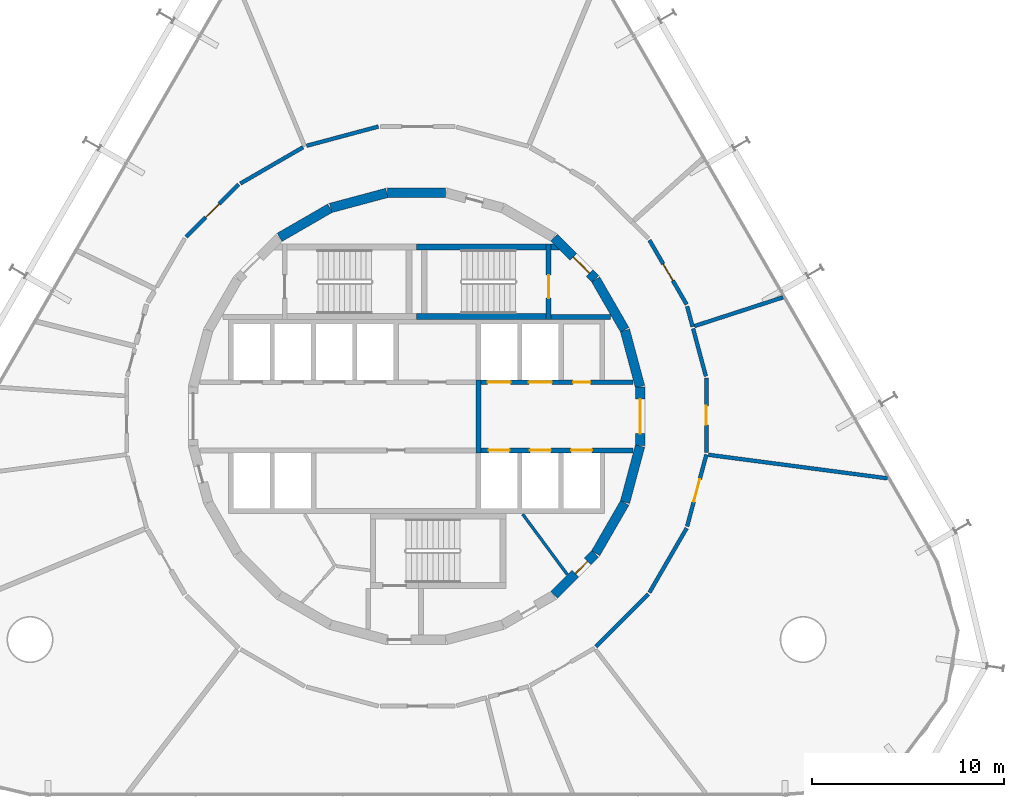
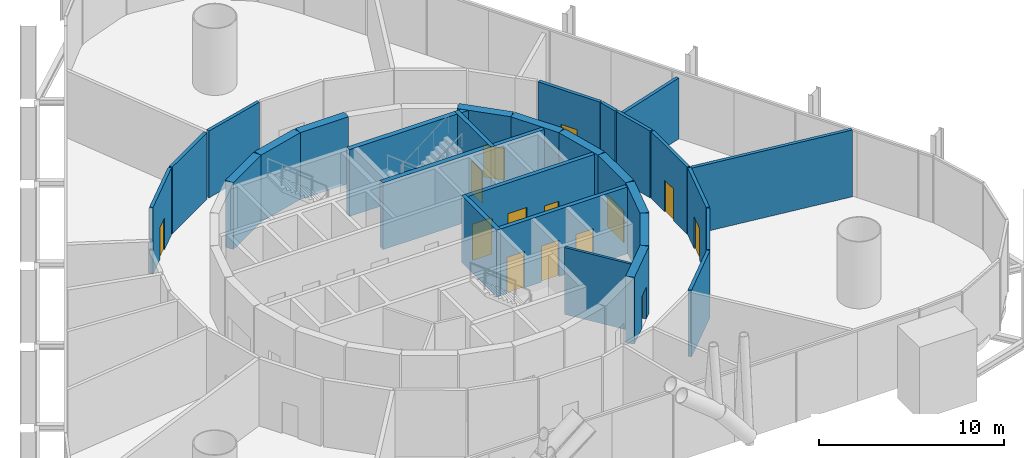
# One storey, part 15 of 17: 31 walls, 14 doors, 14 openings.
"""IFC4 building model written with IfcOpenShell, lengths in metres."""

from ifc_helpers import new_model, si_unit, direction, frame, frame_2d, origin, place, context, subcontext, project, spatial, polyline, rectangle, outline, extrude, material, layer, layer_set, type_object, element, fill, save


model = new_model("IFC4")

# Units and contexts
model_context = context("Model", 3, precision=1e-05, world=origin(), true_north=direction((0.0, 1.0)))
body_context = subcontext(model_context, "Body", "Model", "MODEL_VIEW")
ifc_project = project(units=[si_unit("LENGTHUNIT", "METRE"), si_unit("AREAUNIT", "SQUARE_METRE"), si_unit("VOLUMEUNIT", "CUBIC_METRE"), si_unit("PLANEANGLEUNIT", "RADIAN"), si_unit("MASSUNIT", "GRAM", prefix="KILO")], contexts=[model_context])

# Site, building, storey
site_placement = place(None, origin())
site = spatial("IfcSite", under=ifc_project, at=site_placement, CompositionType="ELEMENT")
building_placement = place(site_placement, origin())
building = spatial("IfcBuilding", under=site, at=building_placement, Name="Spindle Arch Residences", CompositionType="ELEMENT")
storey_placement = place(building_placement, frame((0.0, 0.0, 23.39990234375)))
storey = spatial("IfcBuildingStorey", under=building, at=storey_placement, Name="L04", CompositionType="ELEMENT", Elevation=23.39990234375)

# Wall, opening, door
ifc_material_1 = material(Name="Concrete C50/60", Category="concrete")
ifc_layer_1 = layer(ifc_material_1, 0.5)
ifc_layer_set_1 = layer_set([ifc_layer_1], Name="Core outline wall 500")
wall_type_1 = type_object("IfcWallType", Name="Core outline wall 500", PredefinedType="SHEAR", material=ifc_layer_set_1)
wall_1_placement = place(storey_placement, frame((7.163818359375, -9.30810546875, 0.0), z_axis=(0.0, 0.0, 1.0), x_axis=(0.707106781187, 0.707106781187, 0.0)))
wall_1 = element("IfcWall", 1, at=wall_1_placement, inside=storey, type_object=wall_type_1, Name="Core outline wall 3", PredefinedType="SHEAR", context=body_context, shape_type="SweptSolid", body=[
    extrude(rectangle(XDim=3.032470703125, YDim=0.5, at=frame_2d((1.51611328125, 0.0))), origin(), (0.0, 0.0, 1.0), 4.420166015625),
])
opening_1_placement = place(wall_1_placement, frame((1.56640625, 0.0, 0.0)))
opening_1 = element("IfcOpeningElement", 2, at=opening_1_placement, cuts=wall_1, Name="Opening L04-WD07", PredefinedType="OPENING", context=body_context, shape_type="SweptSolid", body=[
    extrude(rectangle(XDim=0.89990234375, YDim=2.10009765625, at=frame_2d((0.449951171875, 1.050048828125))), frame((0.0, 0.260009765625, 0.0), z_axis=(0.0, -1.0, 0.0), x_axis=(1.0, 0.0, 0.0)), (0.0, 0.0, 1.0), 0.52001953125),
])
ifc_material_2 = material(Name="Steel, fire-resisting door", Category="steel")
door_type_1 = type_object("IfcDoorType", Name="Service room door 900x2100", OperationType="SINGLE_SWING_LEFT", PredefinedType="DOOR", material=ifc_material_2)
door_1_placement = place(opening_1_placement, origin())
door_1 = element("IfcDoor", 3, at=door_1_placement, inside=storey, type_object=door_type_1, Name="Service room door L04-WD07", OperationType="SINGLE_SWING_RIGHT", OverallHeight=2.10009765625, OverallWidth=0.89990234375, PredefinedType="DOOR", context=body_context, shape_type="SweptSolid", body=[
    extrude(rectangle(XDim=0.89990234375, YDim=2.10009765625, at=frame_2d((0.449951171875, 1.050048828125))), frame((0.0, 0.02490234375, 0.0), z_axis=(0.0, -1.0, 0.0), x_axis=(1.0, 0.0, 0.0)), (0.0, 0.0, 1.0), 0.050048828125),
])
fill(opening_1, door_1)

# Walls
for number, where, z_axis, x_axis, name in (
    (4, (9.32861328125, -7.13671875, 0.0), (0.0, 0.0, 1.0), (0.500087131594, 0.865975092491, 0.0), "Core outline wall 4"),
    (5, (10.858154296875, -4.479248046875, 0.0), (0.0, 0.0, 1.0), (0.258734743916, 0.965948410781, 0.0), "Core outline wall 5"),
):
    element("IfcWall", number, at=place(storey_placement, frame(where, z_axis=z_axis, x_axis=x_axis)), inside=storey, type_object=wall_type_1, Name=name, PredefinedType="SHEAR", context=body_context, shape_type="SweptSolid", body=[
        extrude(rectangle(XDim=3.03271484375, YDim=0.5, at=frame_2d((1.516357421875, 0.0))), origin(), (0.0, 0.0, 1.0), 4.420166015625),
    ])

# Wall, opening, door
wall_2_placement = place(storey_placement, frame((11.647216796875, -1.516357421875, 0.0), z_axis=(0.0, 0.0, 1.0), x_axis=(0.0, 1.0, 0.0)))
wall_2 = element("IfcWall", 6, at=wall_2_placement, inside=storey, type_object=wall_type_1, Name="Core outline wall 6", PredefinedType="SHEAR", context=body_context, shape_type="SweptSolid", body=[
    extrude(rectangle(XDim=3.03271484375, YDim=0.5, at=frame_2d((1.516357421875, 0.0))), origin(), (0.0, 0.0, 1.0), 4.420166015625),
])
opening_2_placement = place(wall_2_placement, frame((0.6162109375, 0.0, 0.0)))
opening_2 = element("IfcOpeningElement", 7, at=opening_2_placement, cuts=wall_2, Name="Opening L04-FE01", PredefinedType="OPENING", context=body_context, shape_type="SweptSolid", body=[
    extrude(rectangle(XDim=1.800048828125, YDim=2.10009765625, at=frame_2d((0.89990234375, 1.050048828125))), frame((0.0, 0.260009765625, 0.0), z_axis=(0.0, -1.0, 0.0), x_axis=(1.0, 0.0, 0.0)), (0.0, 0.0, 1.0), 0.52001953125),
])
ifc_material_3 = material(Name="Steel, fire-resisting door", Category="steel")
door_type_2 = type_object("IfcDoorType", Name="Fire-lift lobby door 1800x2100", OperationType="DOUBLE_DOOR_SINGLE_SWING", PredefinedType="DOOR", material=ifc_material_3)
door_2_placement = place(opening_2_placement, origin())
door_2 = element("IfcDoor", 8, at=door_2_placement, inside=storey, type_object=door_type_2, Name="Fire-lift lobby door L04-FE01", OperationType="DOUBLE_DOOR_SINGLE_SWING", OverallHeight=2.10009765625, OverallWidth=1.800048828125, PredefinedType="DOOR", context=body_context, shape_type="SweptSolid", body=[
    extrude(rectangle(XDim=1.800048828125, YDim=2.10009765625, at=frame_2d((0.89990234375, 1.050048828125))), frame((0.0, 0.02490234375, 0.0), z_axis=(0.0, -1.0, 0.0), x_axis=(1.0, 0.0, 0.0)), (0.0, 0.0, 1.0), 0.050048828125),
])
fill(opening_2, door_2)

# Walls
for number, where, z_axis, x_axis, name in (
    (9, (11.642822265625, 1.5498046875, 0.0), (0.0, 0.0, 1.0), (-0.258734743916, 0.965948410781, 0.0), "Core outline wall 7"),
    (10, (10.84521484375, 4.510498046875, 0.0), (0.0, 0.0, 1.0), (-0.500087131594, 0.865975092491, 0.0), "Core outline wall 8"),
):
    element("IfcWall", number, at=place(storey_placement, frame(where, z_axis=z_axis, x_axis=x_axis)), inside=storey, type_object=wall_type_1, Name=name, PredefinedType="SHEAR", context=body_context, shape_type="SweptSolid", body=[
        extrude(rectangle(XDim=3.03271484375, YDim=0.5, at=frame_2d((1.516357421875, 0.0))), origin(), (0.0, 0.0, 1.0), 4.420166015625),
    ])

# Wall, opening, door
wall_3_placement = place(storey_placement, frame((9.30810546875, 7.163818359375, 0.0), z_axis=(0.0, 0.0, 1.0), x_axis=(-0.707106781187, 0.707106781187, 0.0)))
wall_3 = element("IfcWall", 11, at=wall_3_placement, inside=storey, type_object=wall_type_1, Name="Core outline wall 9", PredefinedType="SHEAR", context=body_context, shape_type="SweptSolid", body=[
    extrude(rectangle(XDim=3.032470703125, YDim=0.5, at=frame_2d((1.51611328125, 0.0))), origin(), (0.0, 0.0, 1.0), 4.420166015625),
])
opening_3_placement = place(wall_3_placement, frame((0.416259765625, 0.0, 0.0)))
opening_3 = element("IfcOpeningElement", 12, at=opening_3_placement, cuts=wall_3, Name="Opening L04-AD01", PredefinedType="OPENING", context=body_context, shape_type="SweptSolid", body=[
    extrude(rectangle(XDim=1.199951171875, YDim=2.10009765625, at=frame_2d((0.60009765625, 1.050048828125))), frame((0.0, 0.260009765625, 0.0), z_axis=(0.0, -1.0, 0.0), x_axis=(1.0, 0.0, 0.0)), (0.0, 0.0, 1.0), 0.52001953125),
])
ifc_material_4 = material(Name="Steel, fire-resisting door", Category="steel")
door_type_3 = type_object("IfcDoorType", Name="Stair airlock door 1200x2100", OperationType="SINGLE_SWING_LEFT", PredefinedType="DOOR", material=ifc_material_4)
door_3_placement = place(opening_3_placement, origin())
door_3 = element("IfcDoor", 13, at=door_3_placement, inside=storey, type_object=door_type_3, Name="Stair airlock door L04-AD01", OperationType="SINGLE_SWING_RIGHT", OverallHeight=2.10009765625, OverallWidth=1.199951171875, PredefinedType="DOOR", context=body_context, shape_type="SweptSolid", body=[
    extrude(rectangle(XDim=1.199951171875, YDim=2.10009765625, at=frame_2d((0.60009765625, 1.050048828125))), frame((0.0, 0.02490234375, 0.0), z_axis=(0.0, -1.0, 0.0), x_axis=(1.0, 0.0, 0.0)), (0.0, 0.0, 1.0), 0.050048828125),
])
fill(opening_3, door_3)

# Walls
for number, where, z_axis, x_axis, name in (
    (14, (1.516357421875, 11.647216796875, 0.0), (0.0, 0.0, 1.0), (-1.0, 0.0, 0.0), "Core outline wall 12"),
    (15, (-1.5498046875, 11.642822265625, 0.0), (0.0, 0.0, 1.0), (-0.965948410781, -0.258734743916, 0.0), "Core outline wall 13"),
    (16, (-4.510498046875, 10.84521484375, 0.0), (0.0, 0.0, 1.0), (-0.865975092491, -0.500087131594, 0.0), "Core outline wall 14"),
):
    element("IfcWall", number, at=place(storey_placement, frame(where, z_axis=z_axis, x_axis=x_axis)), inside=storey, type_object=wall_type_1, Name=name, PredefinedType="SHEAR", context=body_context, shape_type="SweptSolid", body=[
        extrude(rectangle(XDim=3.03271484375, YDim=0.5, at=frame_2d((1.516357421875, 0.0))), origin(), (0.0, 0.0, 1.0), 4.420166015625),
    ])

# Wall, openings, doors
ifc_material_5 = material(Name="Concrete C40/50", Category="concrete")
ifc_layer_2 = layer(ifc_material_5, 0.25)
ifc_layer_set_2 = layer_set([ifc_layer_2], Name="Fire-lift lobby wall 250")
wall_type_2 = type_object("IfcWallType", Name="Fire-lift lobby wall 250", PredefinedType="SHEAR", material=ifc_layer_set_2)
wall_4_placement = place(storey_placement, frame((3.35009765625, 1.77490234375, 0.0), z_axis=(0.0, 0.0, 1.0), x_axis=(1.0, 0.0, 0.0)))
wall_4 = element("IfcWall", 17, at=wall_4_placement, inside=storey, type_object=wall_type_2, Name="Lift shaft front wall NE", PredefinedType="SHEAR", context=body_context, shape_type="SweptSolid", body=[
    extrude(rectangle(XDim=7.929931640625, YDim=0.25, at=frame_2d((3.96484375, 0.0))), origin(), (0.0, 0.0, 1.0), 4.420166015625),
])
opening_4_placement = place(wall_4_placement, frame((0.35009765625, 0.0, 0.0)))
opening_4 = element("IfcOpeningElement", 18, at=opening_4_placement, cuts=wall_4, Name="Opening L04-SLD01", PredefinedType="OPENING", context=body_context, shape_type="SweptSolid", body=[
    extrude(rectangle(XDim=1.199951171875, YDim=2.39990234375, at=frame_2d((0.60009765625, 1.199951171875))), frame((0.0, 0.135009765625, 0.0), z_axis=(0.0, -1.0, 0.0), x_axis=(1.0, 0.0, 0.0)), (0.0, 0.0, 1.0), 0.27001953125),
])
opening_5_placement = place(wall_4_placement, frame((2.5, 0.0, 0.0)))
opening_5 = element("IfcOpeningElement", 19, at=opening_5_placement, cuts=wall_4, Name="Opening L04-SLD02", PredefinedType="OPENING", context=body_context, shape_type="SweptSolid", body=[
    extrude(rectangle(XDim=1.199951171875, YDim=2.39990234375, at=frame_2d((0.60009765625, 1.199951171875))), frame((0.0, 0.135009765625, 0.0), z_axis=(0.0, -1.0, 0.0), x_axis=(1.0, 0.0, 0.0)), (0.0, 0.0, 1.0), 0.27001953125),
])
opening_6_placement = place(wall_4_placement, frame((4.800048828125, 0.0, 0.0)))
opening_6 = element("IfcOpeningElement", 20, at=opening_6_placement, cuts=wall_4, Name="Opening L04-WD02", PredefinedType="OPENING", context=body_context, shape_type="SweptSolid", body=[
    extrude(rectangle(XDim=0.89990234375, YDim=2.10009765625, at=frame_2d((0.449951171875, 1.050048828125))), frame((0.0, 0.135009765625, 0.0), z_axis=(0.0, -1.0, 0.0), x_axis=(1.0, 0.0, 0.0)), (0.0, 0.0, 1.0), 0.27001953125),
])
ifc_material_6 = material(Name="Steel, fire-resisting landing door", Category="steel")
door_type_4 = type_object("IfcDoorType", Name="Service lift landing door 1200x2400", OperationType="DOUBLE_DOOR_SLIDING", PredefinedType="DOOR", material=ifc_material_6)
door_4_placement = place(opening_4_placement, origin())
door_4 = element("IfcDoor", 21, at=door_4_placement, inside=storey, type_object=door_type_4, Name="Service lift landing door L04-SLD01", OperationType="DOUBLE_DOOR_SLIDING", OverallHeight=2.39990234375, OverallWidth=1.199951171875, PredefinedType="DOOR", context=body_context, shape_type="SweptSolid", body=[
    extrude(rectangle(XDim=1.199951171875, YDim=2.39990234375, at=frame_2d((0.60009765625, 1.199951171875))), frame((0.0, 0.02490234375, 0.0), z_axis=(0.0, -1.0, 0.0), x_axis=(1.0, 0.0, 0.0)), (0.0, 0.0, 1.0), 0.050048828125),
])
fill(opening_4, door_4)
door_5_placement = place(opening_5_placement, origin())
door_5 = element("IfcDoor", 22, at=door_5_placement, inside=storey, type_object=door_type_4, Name="Service lift landing door L04-SLD02", OperationType="DOUBLE_DOOR_SLIDING", OverallHeight=2.39990234375, OverallWidth=1.199951171875, PredefinedType="DOOR", context=body_context, shape_type="SweptSolid", body=[
    extrude(rectangle(XDim=1.199951171875, YDim=2.39990234375, at=frame_2d((0.60009765625, 1.199951171875))), frame((0.0, 0.02490234375, 0.0), z_axis=(0.0, -1.0, 0.0), x_axis=(1.0, 0.0, 0.0)), (0.0, 0.0, 1.0), 0.050048828125),
])
fill(opening_5, door_5)
door_6_placement = place(opening_6_placement, origin())
door_6 = element("IfcDoor", 23, at=door_6_placement, inside=storey, type_object=door_type_1, Name="Service room door L04-WD02", OperationType="SINGLE_SWING_LEFT", OverallHeight=2.10009765625, OverallWidth=0.89990234375, PredefinedType="DOOR", context=body_context, shape_type="SweptSolid", body=[
    extrude(rectangle(XDim=0.89990234375, YDim=2.10009765625, at=frame_2d((0.449951171875, 1.050048828125))), frame((0.0, 0.02490234375, 0.0), z_axis=(0.0, -1.0, 0.0), x_axis=(1.0, 0.0, 0.0)), (0.0, 0.0, 1.0), 0.050048828125),
])
fill(opening_6, door_6)

# Wall
wall_5_placement = place(storey_placement, frame((3.22509765625, -1.89990234375, 0.0), z_axis=(0.0, 0.0, 1.0), x_axis=(0.0, 1.0, 0.0)))
element("IfcWall", 24, at=wall_5_placement, inside=storey, type_object=wall_type_2, Name="Fire-fighting lobby partition", PredefinedType="SHEAR", context=body_context, shape_type="SweptSolid", body=[
    extrude(rectangle(XDim=3.7998046875, YDim=0.25, at=frame_2d((1.89990234375, 0.0))), origin(), (0.0, 0.0, 1.0), 4.420166015625),
])

# Wall, openings, doors
ifc_material_7 = material(Name="Concrete C50/60", Category="concrete")
ifc_layer_3 = layer(ifc_material_7, 0.25)
ifc_layer_set_3 = layer_set([ifc_layer_3], Name="Fire-lift shaft wall 250")
wall_type_3 = type_object("IfcWallType", Name="Fire-lift shaft wall 250", PredefinedType="SHEAR", material=ifc_layer_set_3)
wall_6_placement = place(storey_placement, frame((3.35009765625, -1.77490234375, 0.0), z_axis=(0.0, 0.0, 1.0), x_axis=(1.0, 0.0, 0.0)))
wall_6 = element("IfcWall", 25, at=wall_6_placement, inside=storey, type_object=wall_type_3, Name="Lift shaft front wall SE", PredefinedType="SHEAR", context=body_context, shape_type="SweptSolid", body=[
    extrude(rectangle(XDim=7.929931640625, YDim=0.25, at=frame_2d((3.96484375, 0.0))), origin(), (0.0, 0.0, 1.0), 4.420166015625),
])
opening_7_placement = place(wall_6_placement, frame((0.39990234375, 0.0, 0.0)))
opening_7 = element("IfcOpeningElement", 26, at=opening_7_placement, cuts=wall_6, Name="Opening L04-FLD01", PredefinedType="OPENING", context=body_context, shape_type="SweptSolid", body=[
    extrude(rectangle(XDim=1.10009765625, YDim=2.39990234375, at=frame_2d((0.550048828125, 1.199951171875))), frame((0.0, 0.135009765625, 0.0), z_axis=(0.0, -1.0, 0.0), x_axis=(1.0, 0.0, 0.0)), (0.0, 0.0, 1.0), 0.27001953125),
])
opening_8_placement = place(wall_6_placement, frame((2.550048828125, 0.0, 0.0)))
opening_8 = element("IfcOpeningElement", 27, at=opening_8_placement, cuts=wall_6, Name="Opening L04-FLD02", PredefinedType="OPENING", context=body_context, shape_type="SweptSolid", body=[
    extrude(rectangle(XDim=1.10009765625, YDim=2.39990234375, at=frame_2d((0.550048828125, 1.199951171875))), frame((0.0, 0.135009765625, 0.0), z_axis=(0.0, -1.0, 0.0), x_axis=(1.0, 0.0, 0.0)), (0.0, 0.0, 1.0), 0.27001953125),
])
opening_9_placement = place(wall_6_placement, frame((4.699951171875, 0.0, 0.0)))
opening_9 = element("IfcOpeningElement", 28, at=opening_9_placement, cuts=wall_6, Name="Opening L04-FLD03", PredefinedType="OPENING", context=body_context, shape_type="SweptSolid", body=[
    extrude(rectangle(XDim=1.10009765625, YDim=2.39990234375, at=frame_2d((0.550048828125, 1.199951171875))), frame((0.0, 0.135009765625, 0.0), z_axis=(0.0, -1.0, 0.0), x_axis=(1.0, 0.0, 0.0)), (0.0, 0.0, 1.0), 0.27001953125),
])
ifc_material_8 = material(Name="Steel, fire-resisting landing door", Category="steel")
door_type_5 = type_object("IfcDoorType", Name="Fire-fighting lift landing door 1100x2400", OperationType="DOUBLE_DOOR_SLIDING", PredefinedType="DOOR", material=ifc_material_8)
door_7_placement = place(opening_7_placement, origin())
door_7 = element("IfcDoor", 29, at=door_7_placement, inside=storey, type_object=door_type_5, Name="Fire-fighting lift landing door L04-FLD01", OperationType="DOUBLE_DOOR_SLIDING", OverallHeight=2.39990234375, OverallWidth=1.10009765625, PredefinedType="DOOR", context=body_context, shape_type="SweptSolid", body=[
    extrude(rectangle(XDim=1.10009765625, YDim=2.39990234375, at=frame_2d((0.550048828125, 1.199951171875))), frame((0.0, 0.02490234375, 0.0), z_axis=(0.0, -1.0, 0.0), x_axis=(1.0, 0.0, 0.0)), (0.0, 0.0, 1.0), 0.050048828125),
])
fill(opening_7, door_7)
door_8_placement = place(opening_8_placement, origin())
door_8 = element("IfcDoor", 30, at=door_8_placement, inside=storey, type_object=door_type_5, Name="Fire-fighting lift landing door L04-FLD02", OperationType="DOUBLE_DOOR_SLIDING", OverallHeight=2.39990234375, OverallWidth=1.10009765625, PredefinedType="DOOR", context=body_context, shape_type="SweptSolid", body=[
    extrude(rectangle(XDim=1.10009765625, YDim=2.39990234375, at=frame_2d((0.550048828125, 1.199951171875))), frame((0.0, 0.02490234375, 0.0), z_axis=(0.0, -1.0, 0.0), x_axis=(1.0, 0.0, 0.0)), (0.0, 0.0, 1.0), 0.050048828125),
])
fill(opening_8, door_8)
door_9_placement = place(opening_9_placement, origin())
door_9 = element("IfcDoor", 31, at=door_9_placement, inside=storey, type_object=door_type_5, Name="Fire-fighting lift landing door L04-FLD03", OperationType="DOUBLE_DOOR_SLIDING", OverallHeight=2.39990234375, OverallWidth=1.10009765625, PredefinedType="DOOR", context=body_context, shape_type="SweptSolid", body=[
    extrude(rectangle(XDim=1.10009765625, YDim=2.39990234375, at=frame_2d((0.550048828125, 1.199951171875))), frame((0.0, 0.02490234375, 0.0), z_axis=(0.0, -1.0, 0.0), x_axis=(1.0, 0.0, 0.0)), (0.0, 0.0, 1.0), 0.050048828125),
])
fill(opening_9, door_9)

# Wall, opening, door
ifc_material_9 = material(Name="Gypsum board partition on steel studs", Category="steel")
ifc_layer_4 = layer(ifc_material_9, 0.199951171875)
ifc_layer_set_4 = layer_set([ifc_layer_4], Name="Partition EI 60 200 amenity")
wall_type_4 = type_object("IfcWallType", Name="Partition EI 60 200 amenity", PredefinedType="PARTITIONING", material=ifc_layer_set_4)
wall_7_placement = place(storey_placement, frame((-9.27001953125, 12.080078125, 0.0), z_axis=(0.0, 0.0, 1.0), x_axis=(-0.707106781187, -0.707106781187, 0.0)))
wall_7 = element("IfcWall", 32, at=wall_7_placement, inside=storey, type_object=wall_type_4, Name="L04-W017", PredefinedType="PARTITIONING", context=body_context, shape_type="SweptSolid", body=[
    extrude(rectangle(XDim=3.873779296875, YDim=0.199951171875, at=frame_2d((1.93701171875, 0.0))), origin(), (0.0, 0.0, 1.0), 4.420166015625),
])
opening_10_placement = place(wall_7_placement, frame((1.43701171875, 0.0, 0.0)))
opening_10 = element("IfcOpeningElement", 33, at=opening_10_placement, cuts=wall_7, Name="Opening L04-D12", PredefinedType="OPENING", context=body_context, shape_type="SweptSolid", body=[
    extrude(rectangle(XDim=1.0, YDim=2.10009765625, at=frame_2d((0.5, 1.050048828125))), frame((0.0, 0.10986328125, 0.0), z_axis=(0.0, -1.0, 0.0), x_axis=(1.0, 0.0, 0.0)), (0.0, 0.0, 1.0), 0.219970703125),
])
ifc_material_10 = material(Name="Timber door leaf", Category="wood")
door_type_6 = type_object("IfcDoorType", Name="Door 1000x2100 EI 30", OperationType="SINGLE_SWING_LEFT", PredefinedType="DOOR", material=ifc_material_10)
door_10_placement = place(opening_10_placement, origin())
door_10 = element("IfcDoor", 34, at=door_10_placement, inside=storey, type_object=door_type_6, Name="L04-D12", OperationType="SINGLE_SWING_LEFT", OverallHeight=2.10009765625, OverallWidth=1.0, PredefinedType="DOOR", context=body_context, shape_type="SweptSolid", body=[
    extrude(rectangle(XDim=1.0, YDim=2.10009765625, at=frame_2d((0.5, 1.050048828125))), frame((0.0, 0.02490234375, 0.0), z_axis=(0.0, -1.0, 0.0), x_axis=(1.0, 0.0, 0.0)), (0.0, 0.0, 1.0), 0.050048828125),
])
fill(opening_10, door_10)

# Walls
wall_8_placement = place(storey_placement, frame((-5.91650390625, 14.02001953125, 0.0), z_axis=(0.0, 0.0, 1.0), x_axis=(-0.865591582237, -0.500750649286, 0.0)))
element("IfcWall", 35, at=wall_8_placement, inside=storey, type_object=wall_type_4, Name="L04-W020", PredefinedType="PARTITIONING", context=body_context, shape_type="SweptSolid", body=[
    extrude(rectangle(XDim=3.774169921875, YDim=0.199951171875, at=frame_2d((1.88720703125, 0.0))), origin(), (0.0, 0.0, 1.0), 4.420166015625),
])
wall_9_placement = place(storey_placement, frame((-1.989990234375, 15.10009765625, 0.0), z_axis=(0.0, 0.0, 1.0), x_axis=(-0.96585437197, -0.259085569159, 0.0)))
element("IfcWall", 36, at=wall_9_placement, inside=storey, type_object=wall_type_4, Name="L04-W022", PredefinedType="PARTITIONING", context=body_context, shape_type="SweptSolid", body=[
    extrude(rectangle(XDim=3.875732421875, YDim=0.199951171875, at=frame_2d((1.93798828125, 0.0))), origin(), (0.0, 0.0, 1.0), 4.420166015625),
])
wall_10_placement = place(storey_placement, frame((9.3408203125, -12.00927734375, 0.0), z_axis=(0.0, 0.0, 1.0), x_axis=(0.707106781187, 0.707106781187, 0.0)))
element("IfcWall", 37, at=wall_10_placement, inside=storey, type_object=wall_type_4, Name="L04-W030", PredefinedType="PARTITIONING", context=body_context, shape_type="SweptSolid", body=[
    extrude(rectangle(XDim=3.873779296875, YDim=0.199951171875, at=frame_2d((1.93701171875, 0.0))), origin(), (0.0, 0.0, 1.0), 4.420166015625),
])
wall_11_placement = place(storey_placement, frame((12.130126953125, -9.183349609375, 0.0), z_axis=(0.0, 0.0, 1.0), x_axis=(0.500760497952, 0.865585884642, 0.0)))
element("IfcWall", 38, at=wall_11_placement, inside=storey, type_object=wall_type_4, Name="L04-W036", PredefinedType="PARTITIONING", context=body_context, shape_type="SweptSolid", body=[
    extrude(rectangle(XDim=3.8740234375, YDim=0.199951171875, at=frame_2d((1.93701171875, 0.0))), origin(), (0.0, 0.0, 1.0), 4.420166015625),
])

# Wall, opening, door
wall_12_placement = place(storey_placement, frame((14.095947265625, -5.7333984375, 0.0), z_axis=(0.0, 0.0, 1.0), x_axis=(0.259085569159, 0.96585437197, 0.0)))
wall_12 = element("IfcWall", 39, at=wall_12_placement, inside=storey, type_object=wall_type_4, Name="L04-W038", PredefinedType="PARTITIONING", context=body_context, shape_type="SweptSolid", body=[
    extrude(rectangle(XDim=3.875732421875, YDim=0.199951171875, at=frame_2d((1.93798828125, 0.0))), origin(), (0.0, 0.0, 1.0), 4.420166015625),
])
opening_11_placement = place(wall_12_placement, frame((1.337890625, 0.0, 0.0)))
opening_11 = element("IfcOpeningElement", 40, at=opening_11_placement, cuts=wall_12, Name="Opening L04-D05", PredefinedType="OPENING", context=body_context, shape_type="SweptSolid", body=[
    extrude(rectangle(XDim=1.199951171875, YDim=2.10009765625, at=frame_2d((0.60009765625, 1.050048828125))), frame((0.0, 0.10986328125, 0.0), z_axis=(0.0, -1.0, 0.0), x_axis=(1.0, 0.0, 0.0)), (0.0, 0.0, 1.0), 0.219970703125),
])
ifc_material_11 = material(Name="Timber door leaf", Category="wood")
door_type_7 = type_object("IfcDoorType", Name="Door 1200x2100 EI 30", OperationType="SINGLE_SWING_LEFT", PredefinedType="DOOR", material=ifc_material_11)
door_11_placement = place(opening_11_placement, origin())
door_11 = element("IfcDoor", 41, at=door_11_placement, inside=storey, type_object=door_type_7, Name="L04-D05", OperationType="SINGLE_SWING_LEFT", OverallHeight=2.10009765625, OverallWidth=1.199951171875, PredefinedType="DOOR", context=body_context, shape_type="SweptSolid", body=[
    extrude(rectangle(XDim=1.199951171875, YDim=2.10009765625, at=frame_2d((0.60009765625, 1.050048828125))), frame((0.0, 0.02490234375, 0.0), z_axis=(0.0, -1.0, 0.0), x_axis=(1.0, 0.0, 0.0)), (0.0, 0.0, 1.0), 0.050048828125),
])
fill(opening_11, door_11)

wall_13_placement = place(storey_placement, frame((14.070068359375, 5.830078125, 0.0), z_axis=(0.0, 0.0, 1.0), x_axis=(-0.500760497952, 0.865585884642, 0.0)))
wall_13 = element("IfcWall", 42, at=wall_13_placement, inside=storey, type_object=wall_type_4, Name="L04-W039", PredefinedType="PARTITIONING", context=body_context, shape_type="SweptSolid", body=[
    extrude(rectangle(XDim=3.8740234375, YDim=0.199951171875, at=frame_2d((1.93701171875, 0.0))), origin(), (0.0, 0.0, 1.0), 4.420166015625),
])
opening_12_placement = place(wall_13_placement, frame((1.43701171875, 0.0, 0.0)))
opening_12 = element("IfcOpeningElement", 43, at=opening_12_placement, cuts=wall_13, Name="Opening L04-D11", PredefinedType="OPENING", context=body_context, shape_type="SweptSolid", body=[
    extrude(rectangle(XDim=1.0, YDim=2.10009765625, at=frame_2d((0.5, 1.050048828125))), frame((0.0, 0.10986328125, 0.0), z_axis=(0.0, -1.0, 0.0), x_axis=(1.0, 0.0, 0.0)), (0.0, 0.0, 1.0), 0.219970703125),
])
door_12_placement = place(opening_12_placement, origin())
door_12 = element("IfcDoor", 44, at=door_12_placement, inside=storey, type_object=door_type_6, Name="L04-D11", OperationType="SINGLE_SWING_LEFT", OverallHeight=2.10009765625, OverallWidth=1.0, PredefinedType="DOOR", context=body_context, shape_type="SweptSolid", body=[
    extrude(rectangle(XDim=1.0, YDim=2.10009765625, at=frame_2d((0.5, 1.050048828125))), frame((0.0, 0.02490234375, 0.0), z_axis=(0.0, -1.0, 0.0), x_axis=(1.0, 0.0, 0.0)), (0.0, 0.0, 1.0), 0.050048828125),
])
fill(opening_12, door_12)

# Walls
wall_14_placement = place(storey_placement, frame((14.3798828125, 4.669921875, 0.0), z_axis=(0.0, 0.0, 1.0), x_axis=(-0.258159565639, 0.966102292032, 0.0)))
element("IfcWall", 45, at=wall_14_placement, inside=storey, type_object=wall_type_4, Name="L04-W040", PredefinedType="PARTITIONING", context=body_context, shape_type="SweptSolid", body=[
    extrude(rectangle(XDim=1.100830078125, YDim=0.199951171875, at=frame_2d((0.55029296875, 0.0))), origin(), (0.0, 0.0, 1.0), 4.420166015625),
])
wall_15_placement = place(storey_placement, frame((14.47509765625, 4.700927734375, 0.0), z_axis=(0.0, 0.0, 1.0), x_axis=(0.951085450377, 0.308927930239, 0.0)))
element("IfcWall", 46, at=wall_15_placement, inside=storey, type_object=wall_type_4, Name="L04-W041", PredefinedType="PARTITIONING", context=body_context, shape_type="SweptSolid", body=[
    extrude(rectangle(XDim=4.852294921875, YDim=0.199951171875, at=frame_2d((2.42626953125, 0.0))), origin(), (0.0, 0.0, 1.0), 4.030029296875),
])

# Wall, opening, door
wall_16_placement = place(storey_placement, frame((15.10009765625, -1.889892578125, 0.0), z_axis=(0.0, 0.0, 1.0), x_axis=(0.0, 1.0, 0.0)))
wall_16 = element("IfcWall", 47, at=wall_16_placement, inside=storey, type_object=wall_type_4, Name="L04-W042", PredefinedType="PARTITIONING", context=body_context, shape_type="SweptSolid", body=[
    extrude(rectangle(XDim=3.8798828125, YDim=0.199951171875, at=frame_2d((1.93994140625, 0.0))), origin(), (0.0, 0.0, 1.0), 4.420166015625),
])
opening_13_placement = place(wall_16_placement, frame((1.43994140625, 0.0, 0.0)))
opening_13 = element("IfcOpeningElement", 48, at=opening_13_placement, cuts=wall_16, Name="Opening L04-D08", PredefinedType="OPENING", context=body_context, shape_type="SweptSolid", body=[
    extrude(rectangle(XDim=1.0, YDim=2.10009765625, at=frame_2d((0.5, 1.050048828125))), frame((0.0, 0.10986328125, 0.0), z_axis=(0.0, -1.0, 0.0), x_axis=(1.0, 0.0, 0.0)), (0.0, 0.0, 1.0), 0.219970703125),
])
door_13_placement = place(opening_13_placement, origin())
door_13 = element("IfcDoor", 49, at=door_13_placement, inside=storey, type_object=door_type_6, Name="L04-D08", OperationType="SINGLE_SWING_LEFT", OverallHeight=2.10009765625, OverallWidth=1.0, PredefinedType="DOOR", context=body_context, shape_type="SweptSolid", body=[
    extrude(rectangle(XDim=1.0, YDim=2.10009765625, at=frame_2d((0.5, 1.050048828125))), frame((0.0, 0.02490234375, 0.0), z_axis=(0.0, -1.0, 0.0), x_axis=(1.0, 0.0, 0.0)), (0.0, 0.0, 1.0), 0.050048828125),
])
fill(opening_13, door_13)

# Walls
wall_17_placement = place(storey_placement, frame((15.19921875, -2.0029296875, 0.0), z_axis=(0.0, 0.0, 1.0), x_axis=(0.991463740717, -0.130382709146, 0.0)))
element("IfcWall", 50, at=wall_17_placement, inside=storey, type_object=wall_type_4, Name="L04-W043", PredefinedType="PARTITIONING", context=body_context, shape_type="SweptSolid", body=[
    extrude(rectangle(XDim=9.4111328125, YDim=0.199951171875, at=frame_2d((4.70556640625, 0.0))), origin(), (0.0, 0.0, 1.0), 4.420166015625),
])
wall_18_placement = place(storey_placement, frame((15.073974609375, 2.086669921875, 0.0), z_axis=(0.0, 0.0, 1.0), x_axis=(-0.259408996071, 0.965767556277, 0.0)))
element("IfcWall", 51, at=wall_18_placement, inside=storey, type_object=wall_type_4, Name="L04-W044", PredefinedType="PARTITIONING", context=body_context, shape_type="SweptSolid", body=[
    extrude(rectangle(XDim=2.574951171875, YDim=0.199951171875, at=frame_2d((1.28759765625, 0.0))), origin(), (0.0, 0.0, 1.0), 4.420166015625),
])
ifc_material_12 = material(Name="Concrete C25/30", Category="concrete")
ifc_layer_5 = layer(ifc_material_12, 0.14990234375)
ifc_layer_set_5 = layer_set([ifc_layer_5], Name="Service room partition 150")
wall_type_5 = type_object("IfcWallType", Name="Service room partition 150", PredefinedType="PARTITIONING", material=ifc_layer_set_5)
wall_19_placement = place(storey_placement, frame((5.528076171875, -5.098388671875, 0.0), z_axis=(0.0, 0.0, 1.0), x_axis=(0.594034318069, -0.804439698769, 0.0)))
element("IfcWall", 52, at=wall_19_placement, inside=storey, type_object=wall_type_5, Name="Core service room partition", PredefinedType="PARTITIONING", context=body_context, shape_type="SweptSolid", body=[
    extrude(rectangle(XDim=3.90673828125, YDim=0.14990234375, at=frame_2d((1.953369140625, 0.0))), origin(), (0.0, 0.0, 1.0), 4.420166015625),
])
ifc_material_13 = material(Name="Concrete C40/50", Category="concrete")
ifc_layer_6 = layer(ifc_material_13, 0.25)
ifc_layer_set_6 = layer_set([ifc_layer_6], Name="Stair airlock wall 250")
wall_type_6 = type_object("IfcWallType", Name="Stair airlock wall 250", PredefinedType="SHEAR", material=ifc_layer_set_6)
wall_20_placement = place(storey_placement, frame((7.0, 5.175048828125, 0.0), z_axis=(0.0, 0.0, 1.0), x_axis=(1.0, 0.0, 0.0)))
element("IfcWall", 53, at=wall_20_placement, inside=storey, type_object=wall_type_6, Name="Stair ST-1 airlock wall S", PredefinedType="SHEAR", context=body_context, shape_type="SweptSolid", body=[
    extrude(rectangle(XDim=3.10009765625, YDim=0.25, at=frame_2d((1.550048828125, 0.0))), origin(), (0.0, 0.0, 1.0), 4.420166015625),
])
ifc_material_14 = material(Name="Concrete C40/50", Category="concrete")
wall_type_7 = type_object("IfcWallType", Name="Stair airlock wall profile", PredefinedType="SHEAR", material=ifc_material_14)
wall_21_placement = place(storey_placement, origin())
element("IfcWall", 54, at=wall_21_placement, inside=storey, type_object=wall_type_7, Name="Stair ST-1 airlock wall N", PredefinedType="SHEAR", context=body_context, shape_type="SweptSolid", body=[
    extrude(outline(polyline([(7.4482421875, 8.669921875), (7.0, 8.669921875), (7.0, 8.969970703125), (7.148193359375, 8.969970703125), (7.4482421875, 8.669921875)])), origin(), (0.0, 0.0, 1.0), 4.420166015625),
])

# Wall, opening, door
ifc_material_15 = material(Name="Concrete C50/60", Category="concrete")
ifc_layer_7 = layer(ifc_material_15, 0.25)
ifc_layer_set_7 = layer_set([ifc_layer_7], Name="Stair enclosure wall 250")
wall_type_8 = type_object("IfcWallType", Name="Stair enclosure wall 250", PredefinedType="SHEAR", material=ifc_layer_set_7)
wall_22_placement = place(storey_placement, frame((6.875, 5.050048828125, 0.0), z_axis=(0.0, 0.0, 1.0), x_axis=(0.0, 1.0, 0.0)))
wall_22 = element("IfcWall", 55, at=wall_22_placement, inside=storey, type_object=wall_type_8, Name="Stair ST-1 door wall", PredefinedType="SHEAR", context=body_context, shape_type="SweptSolid", body=[
    extrude(rectangle(XDim=3.919921875, YDim=0.25, at=frame_2d((1.9599609375, 0.0))), origin(), (0.0, 0.0, 1.0), 4.420166015625),
])
opening_14_placement = place(wall_22_placement, frame((1.110107421875, 0.0, 0.0)))
opening_14 = element("IfcOpeningElement", 56, at=opening_14_placement, cuts=wall_22, Name="Opening L04-SD01", PredefinedType="OPENING", context=body_context, shape_type="SweptSolid", body=[
    extrude(rectangle(XDim=1.199951171875, YDim=2.10009765625, at=frame_2d((0.60009765625, 1.050048828125))), frame((0.0, 0.135009765625, 0.0), z_axis=(0.0, -1.0, 0.0), x_axis=(1.0, 0.0, 0.0)), (0.0, 0.0, 1.0), 0.27001953125),
])
ifc_material_16 = material(Name="Steel, fire-resisting door", Category="steel")
door_type_8 = type_object("IfcDoorType", Name="Stair door 1200x2100", OperationType="SINGLE_SWING_RIGHT", PredefinedType="DOOR", material=ifc_material_16)
door_14_placement = place(opening_14_placement, origin())
door_14 = element("IfcDoor", 57, at=door_14_placement, inside=storey, type_object=door_type_8, Name="Stair door L04-SD01", OperationType="SINGLE_SWING_LEFT", OverallHeight=2.10009765625, OverallWidth=1.199951171875, PredefinedType="DOOR", context=body_context, shape_type="SweptSolid", body=[
    extrude(rectangle(XDim=1.199951171875, YDim=2.10009765625, at=frame_2d((0.60009765625, 1.050048828125))), frame((0.0, 0.02490234375, 0.0), z_axis=(0.0, -1.0, 0.0), x_axis=(1.0, 0.0, 0.0)), (0.0, 0.0, 1.0), 0.050048828125),
])
fill(opening_14, door_14)

# Walls
ifc_material_17 = material(Name="Concrete C50/60", Category="concrete")
ifc_layer_8 = layer(ifc_material_17, 0.300048828125)
ifc_layer_set_8 = layer_set([ifc_layer_8], Name="Stair enclosure wall 300")
wall_type_9 = type_object("IfcWallType", Name="Stair enclosure wall 300", PredefinedType="SHEAR", material=ifc_layer_set_8)
for number, where, z_axis, x_axis, name in (
    (58, (0.0, 5.199951171875, 0.0), (0.0, 0.0, 1.0), (1.0, 0.0, 0.0), "Stair ST-1 enclosure wall S"),
    (59, (0.0, 8.820068359375, 0.0), (0.0, 0.0, 1.0), (1.0, 0.0, 0.0), "Stair ST-1 enclosure wall N"),
):
    element("IfcWall", number, at=place(storey_placement, frame(where, z_axis=z_axis, x_axis=x_axis)), inside=storey, type_object=wall_type_9, Name=name, PredefinedType="SHEAR", context=body_context, shape_type="SweptSolid", body=[
        extrude(rectangle(XDim=6.75, YDim=0.300048828125, at=frame_2d((3.375, 0.0))), origin(), (0.0, 0.0, 1.0), 4.420166015625),
    ])

save(model, "model.ifc")
